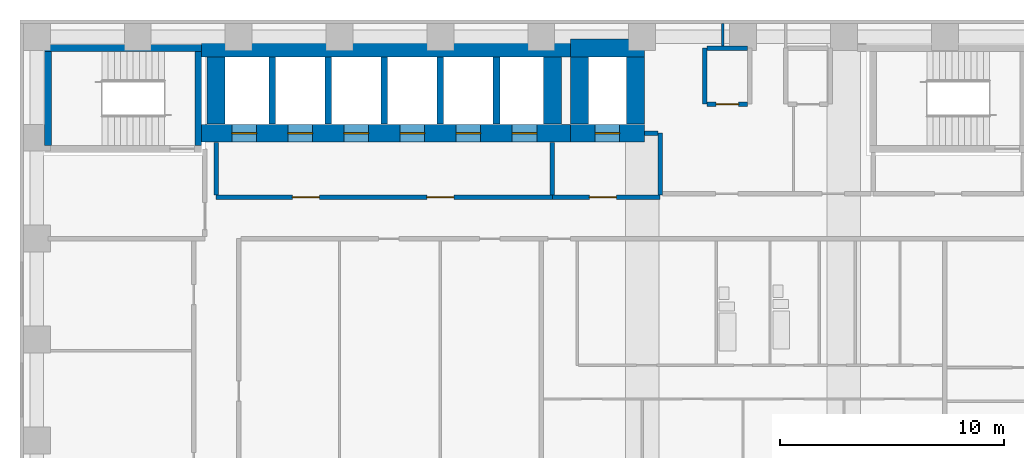
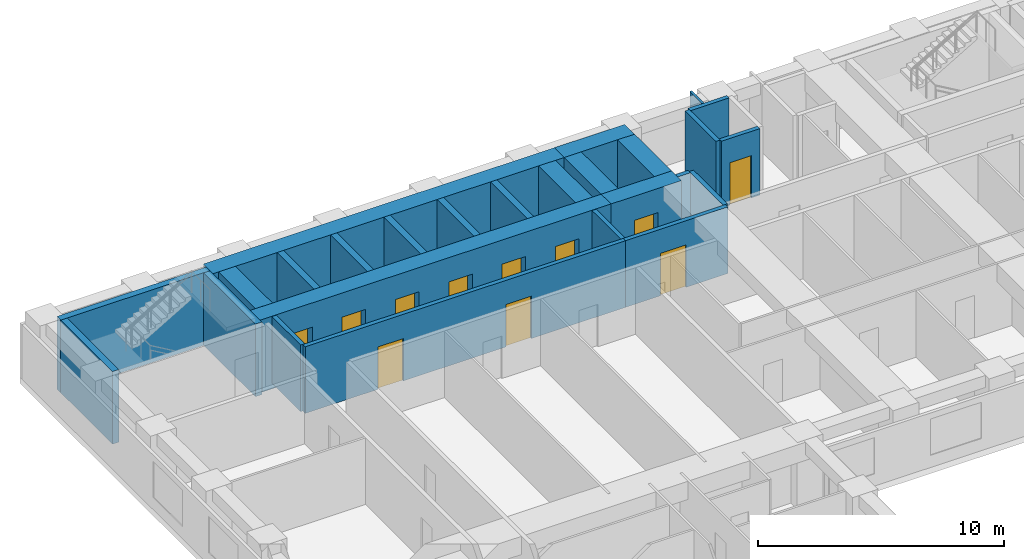
# One storey, part 5 of 12: 26 walls, 11 doors, 11 openings.
"""IFC4 building model written with IfcOpenShell, lengths in metres."""

from ifc_helpers import new_model, si_unit, direction, frame, frame_2d, origin, place, context, subcontext, project, spatial, rectangle, extrude, material, layer, layer_set, type_object, element, fill, save


model = new_model("IFC4")

# Units and contexts
model_context = context("Model", 3, precision=1e-05, world=origin(), true_north=direction((0.0, 1.0)))
body_context = subcontext(model_context, "Body", "Model", "MODEL_VIEW")
ifc_project = project(units=[si_unit("LENGTHUNIT", "METRE"), si_unit("AREAUNIT", "SQUARE_METRE"), si_unit("VOLUMEUNIT", "CUBIC_METRE"), si_unit("PLANEANGLEUNIT", "RADIAN"), si_unit("MASSUNIT", "GRAM", prefix="KILO")], contexts=[model_context])

# Site, building, storey
site_placement = place(None, origin())
site = spatial("IfcSite", under=ifc_project, at=site_placement, CompositionType="ELEMENT")
building_placement = place(site_placement, origin())
building = spatial("IfcBuilding", under=site, at=building_placement, Name="Firuza Court", CompositionType="ELEMENT")
storey_placement = place(building_placement, frame((0.0, 0.0, 97.39990234375)))
storey = spatial("IfcBuildingStorey", under=building, at=storey_placement, Name="L24", CompositionType="ELEMENT", Elevation=97.39990234375)

# Walls
ifc_material_1 = material(Name="Concrete C60/75", Category="concrete")
ifc_layer_1 = layer(ifc_material_1, 0.300048828125)
ifc_layer_set_1 = layer_set([ifc_layer_1], Name="Concrete C60/75")
wall_type_1 = type_object("IfcWallType", Name="Core wall 300 C60/75", PredefinedType="SHEAR", material=ifc_layer_set_1)
wall_1_placement = place(storey_placement, frame((0.35009765625, 58.0, -0.2998046875), z_axis=(0.0, 0.0, 1.0), x_axis=(1.0, 0.0, 0.0)))
element("IfcWall", 1, at=wall_1_placement, inside=storey, type_object=wall_type_1, Name="Core wall stair L24", PredefinedType="SHEAR", context=body_context, shape_type="SweptSolid", body=[
    extrude(rectangle(XDim=7.0, YDim=0.300048828125, at=frame_2d((3.5, 0.0))), origin(), (0.0, 0.0, 1.0), 3.599853515625),
])
for number, where, z_axis, x_axis, name in (
    (2, (0.5, 53.64990234375, -0.2998046875), (0.0, 0.0, 1.0), (0.0, 1.0, 0.0), "Core wall stair L24"),
    (3, (7.199951171875, 53.64990234375, -0.2998046875), (0.0, 0.0, 1.0), (0.0, 1.0, 0.0), "Core wall stair L24"),
):
    element("IfcWall", number, at=place(storey_placement, frame(where, z_axis=z_axis, x_axis=x_axis)), inside=storey, type_object=wall_type_1, Name=name, PredefinedType="SHEAR", context=body_context, shape_type="SweptSolid", body=[
        extrude(rectangle(XDim=4.2001953125, YDim=0.300048828125, at=frame_2d((2.10009765625, 0.0))), origin(), (0.0, 0.0, 1.0), 3.599853515625),
    ])
for number, where, z_axis, x_axis, name in (
    (4, (10.5, 54.60009765625, -0.2998046875), (0.0, 0.0, 1.0), (0.0, 1.0, 0.0), "Core wall lift shaft L24"),
    (5, (13.0, 54.60009765625, -0.2998046875), (0.0, 0.0, 1.0), (0.0, 1.0, 0.0), "Core wall lift shaft L24"),
    (6, (15.5, 54.60009765625, -0.2998046875), (0.0, 0.0, 1.0), (0.0, 1.0, 0.0), "Core wall lift shaft L24"),
    (7, (18.0, 54.60009765625, -0.2998046875), (0.0, 0.0, 1.0), (0.0, 1.0, 0.0), "Core wall lift shaft L24"),
    (8, (20.5, 54.60009765625, -0.2998046875), (0.0, 0.0, 1.0), (0.0, 1.0, 0.0), "Core wall lift shaft L24"),
):
    element("IfcWall", number, at=place(storey_placement, frame(where, z_axis=z_axis, x_axis=x_axis)), inside=storey, type_object=wall_type_1, Name=name, PredefinedType="SHEAR", context=body_context, shape_type="SweptSolid", body=[
        extrude(rectangle(XDim=3.0, YDim=0.300048828125, at=frame_2d((1.5, 0.0))), origin(), (0.0, 0.0, 1.0), 3.599853515625),
    ])

# Wall, openings, doors
ifc_layer_2 = layer(ifc_material_1, 0.800048828125)
ifc_layer_set_2 = layer_set([ifc_layer_2], Name="Concrete C60/75")
wall_type_2 = type_object("IfcWallType", Name="Core wall 800 C60/75", PredefinedType="SHEAR", material=ifc_layer_set_2)
wall_2_placement = place(storey_placement, frame((7.35009765625, 54.199951171875, -0.2998046875), z_axis=(0.0, 0.0, 1.0), x_axis=(1.0, 0.0, 0.0)))
wall_2 = element("IfcWall", 9, at=wall_2_placement, inside=storey, type_object=wall_type_2, Name="Core wall lift shaft L24", PredefinedType="SHEAR", context=body_context, shape_type="SweptSolid", body=[
    extrude(rectangle(XDim=16.449951171875, YDim=0.800048828125, at=frame_2d((8.22509765625, 0.0))), origin(), (0.0, 0.0, 1.0), 3.599853515625),
])
opening_1_placement = place(wall_2_placement, frame((1.35009765625, 0.0, 0.300048828125)))
opening_1 = element("IfcOpeningElement", 10, at=opening_1_placement, cuts=wall_2, Name="Opening LD-LB1-24", PredefinedType="OPENING", context=body_context, shape_type="SweptSolid", body=[
    extrude(rectangle(XDim=1.10009765625, YDim=2.10009765625, at=frame_2d((0.550048828125, 1.050048828125))), frame((0.0, 0.412109375, 0.0), z_axis=(0.0, -1.0, 0.0), x_axis=(1.0, 0.0, 0.0)), (0.0, 0.0, 1.0), 0.823974609375),
])
opening_2_placement = place(wall_2_placement, frame((3.85009765625, 0.0, 0.300048828125)))
opening_2 = element("IfcOpeningElement", 11, at=opening_2_placement, cuts=wall_2, Name="Opening LD-LB2-24", PredefinedType="OPENING", context=body_context, shape_type="SweptSolid", body=[
    extrude(rectangle(XDim=1.10009765625, YDim=2.10009765625, at=frame_2d((0.550048828125, 1.050048828125))), frame((0.0, 0.412109375, 0.0), z_axis=(0.0, -1.0, 0.0), x_axis=(1.0, 0.0, 0.0)), (0.0, 0.0, 1.0), 0.823974609375),
])
opening_3_placement = place(wall_2_placement, frame((6.35009765625, 0.0, 0.300048828125)))
opening_3 = element("IfcOpeningElement", 12, at=opening_3_placement, cuts=wall_2, Name="Opening LD-LB3-24", PredefinedType="OPENING", context=body_context, shape_type="SweptSolid", body=[
    extrude(rectangle(XDim=1.10009765625, YDim=2.10009765625, at=frame_2d((0.550048828125, 1.050048828125))), frame((0.0, 0.412109375, 0.0), z_axis=(0.0, -1.0, 0.0), x_axis=(1.0, 0.0, 0.0)), (0.0, 0.0, 1.0), 0.823974609375),
])
opening_4_placement = place(wall_2_placement, frame((8.85009765625, 0.0, 0.300048828125)))
opening_4 = element("IfcOpeningElement", 13, at=opening_4_placement, cuts=wall_2, Name="Opening LD-LB4-24", PredefinedType="OPENING", context=body_context, shape_type="SweptSolid", body=[
    extrude(rectangle(XDim=1.10009765625, YDim=2.10009765625, at=frame_2d((0.550048828125, 1.050048828125))), frame((0.0, 0.412109375, 0.0), z_axis=(0.0, -1.0, 0.0), x_axis=(1.0, 0.0, 0.0)), (0.0, 0.0, 1.0), 0.823974609375),
])
opening_5_placement = place(wall_2_placement, frame((11.35009765625, 0.0, 0.300048828125)))
opening_5 = element("IfcOpeningElement", 14, at=opening_5_placement, cuts=wall_2, Name="Opening LD-LB5-24", PredefinedType="OPENING", context=body_context, shape_type="SweptSolid", body=[
    extrude(rectangle(XDim=1.10009765625, YDim=2.10009765625, at=frame_2d((0.550048828125, 1.050048828125))), frame((0.0, 0.412109375, 0.0), z_axis=(0.0, -1.0, 0.0), x_axis=(1.0, 0.0, 0.0)), (0.0, 0.0, 1.0), 0.823974609375),
])
opening_6_placement = place(wall_2_placement, frame((13.85009765625, 0.0, 0.300048828125)))
opening_6 = element("IfcOpeningElement", 15, at=opening_6_placement, cuts=wall_2, Name="Opening LD-LB6-24", PredefinedType="OPENING", context=body_context, shape_type="SweptSolid", body=[
    extrude(rectangle(XDim=1.10009765625, YDim=2.10009765625, at=frame_2d((0.550048828125, 1.050048828125))), frame((0.0, 0.412109375, 0.0), z_axis=(0.0, -1.0, 0.0), x_axis=(1.0, 0.0, 0.0)), (0.0, 0.0, 1.0), 0.823974609375),
])
ifc_material_2 = material(Name="Stainless steel 1.4301 door leaf", Category="steel")
door_type_1 = type_object("IfcDoorType", Name="Lift landing door 1100", OperationType="SLIDING_TO_LEFT", PredefinedType="DOOR", material=ifc_material_2)
door_1_placement = place(opening_1_placement, origin())
door_1 = element("IfcDoor", 16, at=door_1_placement, inside=storey, type_object=door_type_1, Name="Landing door LB1", OperationType="SLIDING_TO_LEFT", OverallHeight=2.10009765625, OverallWidth=1.10009765625, PredefinedType="DOOR", context=body_context, shape_type="SweptSolid", body=[
    extrude(rectangle(XDim=1.10009765625, YDim=2.10009765625, at=frame_2d((0.550048828125, 1.050048828125))), frame((0.0, 0.02490234375, 0.0), z_axis=(0.0, -1.0, 0.0), x_axis=(1.0, 0.0, 0.0)), (0.0, 0.0, 1.0), 0.050048828125),
])
fill(opening_1, door_1)
door_2_placement = place(opening_2_placement, origin())
door_2 = element("IfcDoor", 17, at=door_2_placement, inside=storey, type_object=door_type_1, Name="Landing door LB2", OperationType="SLIDING_TO_LEFT", OverallHeight=2.10009765625, OverallWidth=1.10009765625, PredefinedType="DOOR", context=body_context, shape_type="SweptSolid", body=[
    extrude(rectangle(XDim=1.10009765625, YDim=2.10009765625, at=frame_2d((0.550048828125, 1.050048828125))), frame((0.0, 0.02490234375, 0.0), z_axis=(0.0, -1.0, 0.0), x_axis=(1.0, 0.0, 0.0)), (0.0, 0.0, 1.0), 0.050048828125),
])
fill(opening_2, door_2)
door_3_placement = place(opening_3_placement, origin())
door_3 = element("IfcDoor", 18, at=door_3_placement, inside=storey, type_object=door_type_1, Name="Landing door LB3", OperationType="SLIDING_TO_LEFT", OverallHeight=2.10009765625, OverallWidth=1.10009765625, PredefinedType="DOOR", context=body_context, shape_type="SweptSolid", body=[
    extrude(rectangle(XDim=1.10009765625, YDim=2.10009765625, at=frame_2d((0.550048828125, 1.050048828125))), frame((0.0, 0.02490234375, 0.0), z_axis=(0.0, -1.0, 0.0), x_axis=(1.0, 0.0, 0.0)), (0.0, 0.0, 1.0), 0.050048828125),
])
fill(opening_3, door_3)
door_4_placement = place(opening_4_placement, origin())
door_4 = element("IfcDoor", 19, at=door_4_placement, inside=storey, type_object=door_type_1, Name="Landing door LB4", OperationType="SLIDING_TO_LEFT", OverallHeight=2.10009765625, OverallWidth=1.10009765625, PredefinedType="DOOR", context=body_context, shape_type="SweptSolid", body=[
    extrude(rectangle(XDim=1.10009765625, YDim=2.10009765625, at=frame_2d((0.550048828125, 1.050048828125))), frame((0.0, 0.02490234375, 0.0), z_axis=(0.0, -1.0, 0.0), x_axis=(1.0, 0.0, 0.0)), (0.0, 0.0, 1.0), 0.050048828125),
])
fill(opening_4, door_4)
door_5_placement = place(opening_5_placement, origin())
door_5 = element("IfcDoor", 20, at=door_5_placement, inside=storey, type_object=door_type_1, Name="Landing door LB5", OperationType="SLIDING_TO_LEFT", OverallHeight=2.10009765625, OverallWidth=1.10009765625, PredefinedType="DOOR", context=body_context, shape_type="SweptSolid", body=[
    extrude(rectangle(XDim=1.10009765625, YDim=2.10009765625, at=frame_2d((0.550048828125, 1.050048828125))), frame((0.0, 0.02490234375, 0.0), z_axis=(0.0, -1.0, 0.0), x_axis=(1.0, 0.0, 0.0)), (0.0, 0.0, 1.0), 0.050048828125),
])
fill(opening_5, door_5)
door_6_placement = place(opening_6_placement, origin())
door_6 = element("IfcDoor", 21, at=door_6_placement, inside=storey, type_object=door_type_1, Name="Landing door LB6", OperationType="SLIDING_TO_LEFT", OverallHeight=2.10009765625, OverallWidth=1.10009765625, PredefinedType="DOOR", context=body_context, shape_type="SweptSolid", body=[
    extrude(rectangle(XDim=1.10009765625, YDim=2.10009765625, at=frame_2d((0.550048828125, 1.050048828125))), frame((0.0, 0.02490234375, 0.0), z_axis=(0.0, -1.0, 0.0), x_axis=(1.0, 0.0, 0.0)), (0.0, 0.0, 1.0), 0.050048828125),
])
fill(opening_6, door_6)

# Walls
wall_3_placement = place(storey_placement, frame((7.35009765625, 58.0, -0.2998046875), z_axis=(0.0, 0.0, 1.0), x_axis=(1.0, 0.0, 0.0)))
element("IfcWall", 22, at=wall_3_placement, inside=storey, type_object=wall_type_2, Name="Core wall lift shaft L24", PredefinedType="SHEAR", context=body_context, shape_type="SweptSolid", body=[
    extrude(rectangle(XDim=16.449951171875, YDim=0.800048828125, at=frame_2d((8.22509765625, 0.0))), origin(), (0.0, 0.0, 1.0), 3.599853515625),
])
for number, where, z_axis, x_axis, name in (
    (23, (8.0, 54.60009765625, -0.2998046875), (0.0, 0.0, 1.0), (0.0, 1.0, 0.0), "Core wall lift shaft L24"),
    (24, (23.0, 54.60009765625, -0.2998046875), (0.0, 0.0, 1.0), (0.0, 1.0, 0.0), "Core wall lift shaft L24"),
):
    element("IfcWall", number, at=place(storey_placement, frame(where, z_axis=z_axis, x_axis=x_axis)), inside=storey, type_object=wall_type_2, Name=name, PredefinedType="SHEAR", context=body_context, shape_type="SweptSolid", body=[
        extrude(rectangle(XDim=3.0, YDim=0.800048828125, at=frame_2d((1.5, 0.0))), origin(), (0.0, 0.0, 1.0), 3.599853515625),
    ])

# Wall, opening, door
wall_4_placement = place(storey_placement, frame((23.800048828125, 54.199951171875, -0.2998046875), z_axis=(0.0, 0.0, 1.0), x_axis=(1.0, 0.0, 0.0)))
wall_4 = element("IfcWall", 25, at=wall_4_placement, inside=storey, type_object=wall_type_2, Name="Core wall lift shaft L24", PredefinedType="SHEAR", context=body_context, shape_type="SweptSolid", body=[
    extrude(rectangle(XDim=3.300048828125, YDim=0.800048828125, at=frame_2d((1.64990234375, 0.0))), origin(), (0.0, 0.0, 1.0), 3.599853515625),
])
opening_7_placement = place(wall_4_placement, frame((1.10009765625, 0.0, 0.300048828125)))
opening_7 = element("IfcOpeningElement", 26, at=opening_7_placement, cuts=wall_4, Name="Opening LD-FL3-24", PredefinedType="OPENING", context=body_context, shape_type="SweptSolid", body=[
    extrude(rectangle(XDim=1.10009765625, YDim=2.10009765625, at=frame_2d((0.550048828125, 1.050048828125))), frame((0.0, 0.412109375, 0.0), z_axis=(0.0, -1.0, 0.0), x_axis=(1.0, 0.0, 0.0)), (0.0, 0.0, 1.0), 0.823974609375),
])
door_7_placement = place(opening_7_placement, origin())
door_7 = element("IfcDoor", 27, at=door_7_placement, inside=storey, type_object=door_type_1, Name="Landing door FL3", OperationType="SLIDING_TO_LEFT", OverallHeight=2.10009765625, OverallWidth=1.10009765625, PredefinedType="DOOR", context=body_context, shape_type="SweptSolid", body=[
    extrude(rectangle(XDim=1.10009765625, YDim=2.10009765625, at=frame_2d((0.550048828125, 1.050048828125))), frame((0.0, 0.02490234375, 0.0), z_axis=(0.0, -1.0, 0.0), x_axis=(1.0, 0.0, 0.0)), (0.0, 0.0, 1.0), 0.050048828125),
])
fill(opening_7, door_7)

# Walls
wall_5_placement = place(storey_placement, frame((23.800048828125, 58.0, -0.2998046875), z_axis=(0.0, 0.0, 1.0), x_axis=(1.0, 0.0, 0.0)))
element("IfcWall", 28, at=wall_5_placement, inside=storey, type_object=wall_type_2, Name="Core wall lift shaft L24", PredefinedType="SHEAR", context=body_context, shape_type="SweptSolid", body=[
    extrude(rectangle(XDim=3.300048828125, YDim=0.800048828125, at=frame_2d((1.64990234375, 0.0))), origin(), (0.0, 0.0, 1.0), 3.599853515625),
])
for number, where, z_axis, x_axis, name in (
    (29, (24.199951171875, 54.60009765625, -0.2998046875), (0.0, 0.0, 1.0), (0.0, 1.0, 0.0), "Core wall lift shaft L24"),
    (30, (26.699951171875, 54.60009765625, -0.2998046875), (0.0, 0.0, 1.0), (0.0, 1.0, 0.0), "Core wall lift shaft L24"),
):
    element("IfcWall", number, at=place(storey_placement, frame(where, z_axis=z_axis, x_axis=x_axis)), inside=storey, type_object=wall_type_2, Name=name, PredefinedType="SHEAR", context=body_context, shape_type="SweptSolid", body=[
        extrude(rectangle(XDim=3.0, YDim=0.800048828125, at=frame_2d((1.5, 0.0))), origin(), (0.0, 0.0, 1.0), 3.599853515625),
    ])
ifc_material_3 = material(Name="Timber stud partition, plasterboard both sides", Category="wood")
ifc_layer_3 = layer(ifc_material_3, 0.10009765625)
ifc_layer_set_3 = layer_set([ifc_layer_3], Name="Timber stud partition, plasterboard both sides")
wall_type_3 = type_object("IfcWallType", Name="Partition wall 100", PredefinedType="PARTITIONING", material=ifc_layer_set_3)
wall_6_placement = place(storey_placement, frame((30.60009765625, 58.10009765625, 0.0), z_axis=(0.0, 0.0, 1.0), x_axis=(0.0, 1.0, 0.0)))
element("IfcWall", 31, at=wall_6_placement, inside=storey, type_object=wall_type_3, Name="Partition wall 100 L24", PredefinedType="PARTITIONING", context=body_context, shape_type="SweptSolid", body=[
    extrude(rectangle(XDim=1.0, YDim=0.10009765625, at=frame_2d((0.5, 0.0))), origin(), (0.0, 0.0, 1.0), 3.300048828125),
])
ifc_material_4 = material(Name="Blockwork, fire-rated", Category="masonry")
ifc_layer_4 = layer(ifc_material_4, 0.199951171875)
ifc_layer_set_4 = layer_set([ifc_layer_4], Name="Blockwork, fire-rated")
wall_type_4 = type_object("IfcWallType", Name="Plant room wall 200", PredefinedType="PARTITIONING", material=ifc_layer_set_4)
wall_7_placement = place(storey_placement, frame((29.800048828125, 55.5, 0.0), z_axis=(0.0, 0.0, 1.0), x_axis=(0.0, 1.0, 0.0)))
element("IfcWall", 32, at=wall_7_placement, inside=storey, type_object=wall_type_4, Name="Plant room wall 200 L24", PredefinedType="PARTITIONING", context=body_context, shape_type="SweptSolid", body=[
    extrude(rectangle(XDim=2.5, YDim=0.199951171875, at=frame_2d((1.25, 0.0))), origin(), (0.0, 0.0, 1.0), 3.300048828125),
])

# Wall, opening, door
wall_8_placement = place(storey_placement, frame((29.89990234375, 55.5, 0.0), z_axis=(0.0, 0.0, 1.0), x_axis=(1.0, 0.0, 0.0)))
wall_8 = element("IfcWall", 33, at=wall_8_placement, inside=storey, type_object=wall_type_4, Name="Plant room wall 200 L24", PredefinedType="PARTITIONING", context=body_context, shape_type="SweptSolid", body=[
    extrude(rectangle(XDim=1.800048828125, YDim=0.199951171875, at=frame_2d((0.89990234375, 0.0))), origin(), (0.0, 0.0, 1.0), 3.300048828125),
])
opening_8_placement = place(wall_8_placement, frame((0.39990234375, 0.0, 0.0)))
opening_8 = element("IfcOpeningElement", 34, at=opening_8_placement, cuts=wall_8, Name="Opening D24076", PredefinedType="OPENING", context=body_context, shape_type="SweptSolid", body=[
    extrude(rectangle(XDim=1.0, YDim=2.10009765625, at=frame_2d((0.5, 1.050048828125))), frame((0.0, 0.11181640625, 0.0), z_axis=(0.0, -1.0, 0.0), x_axis=(1.0, 0.0, 0.0)), (0.0, 0.0, 1.0), 0.223876953125),
])
ifc_material_5 = material(Name="Timber door leaf in hardwood frame", Category="wood")
door_type_2 = type_object("IfcDoorType", Name="Riser door 1000", OperationType="SINGLE_SWING_LEFT", PredefinedType="DOOR", material=ifc_material_5)
door_8_placement = place(opening_8_placement, origin())
door_8 = element("IfcDoor", 35, at=door_8_placement, inside=storey, type_object=door_type_2, Name="Electrical riser door", OperationType="SINGLE_SWING_LEFT", OverallHeight=2.10009765625, OverallWidth=1.0, PredefinedType="DOOR", context=body_context, shape_type="SweptSolid", body=[
    extrude(rectangle(XDim=1.0, YDim=2.10009765625, at=frame_2d((0.5, 1.050048828125))), frame((0.0, 0.02490234375, 0.0), z_axis=(0.0, -1.0, 0.0), x_axis=(1.0, 0.0, 0.0)), (0.0, 0.0, 1.0), 0.050048828125),
])
fill(opening_8, door_8)

# Wall
wall_9_placement = place(storey_placement, frame((29.89990234375, 58.0, 0.0), z_axis=(0.0, 0.0, 1.0), x_axis=(1.0, 0.0, 0.0)))
element("IfcWall", 36, at=wall_9_placement, inside=storey, type_object=wall_type_4, Name="Plant room wall 200 L24", PredefinedType="PARTITIONING", context=body_context, shape_type="SweptSolid", body=[
    extrude(rectangle(XDim=1.800048828125, YDim=0.199951171875, at=frame_2d((0.89990234375, 0.0))), origin(), (0.0, 0.0, 1.0), 3.300048828125),
])

# Wall, openings, doors
ifc_layer_5 = layer(ifc_material_4, 0.199951171875)
ifc_layer_set_5 = layer_set([ifc_layer_5], Name="Blockwork, fire-rated")
wall_type_5 = type_object("IfcWallType", Name="Shaft wall 200", PredefinedType="PARTITIONING", material=ifc_layer_set_5)
wall_10_placement = place(storey_placement, frame((8.0, 51.35009765625, 0.0), z_axis=(0.0, 0.0, 1.0), x_axis=(1.0, 0.0, 0.0)))
wall_10 = element("IfcWall", 37, at=wall_10_placement, inside=storey, type_object=wall_type_5, Name="Shaft wall 200 L24", PredefinedType="PARTITIONING", context=body_context, shape_type="SweptSolid", body=[
    extrude(rectangle(XDim=15.0, YDim=0.199951171875, at=frame_2d((7.5, 0.0))), origin(), (0.0, 0.0, 1.0), 3.300048828125),
])
opening_9_placement = place(wall_10_placement, frame((3.39990234375, 0.0, 0.0)))
opening_9 = element("IfcOpeningElement", 38, at=opening_9_placement, cuts=wall_10, Name="Opening D24004", PredefinedType="OPENING", context=body_context, shape_type="SweptSolid", body=[
    extrude(rectangle(XDim=1.199951171875, YDim=2.10009765625, at=frame_2d((0.60009765625, 1.050048828125))), frame((0.0, 0.11181640625, 0.0), z_axis=(0.0, -1.0, 0.0), x_axis=(1.0, 0.0, 0.0)), (0.0, 0.0, 1.0), 0.223876953125),
])
opening_10_placement = place(wall_10_placement, frame((9.39990234375, 0.0, 0.0)))
opening_10 = element("IfcOpeningElement", 39, at=opening_10_placement, cuts=wall_10, Name="Opening D24005", PredefinedType="OPENING", context=body_context, shape_type="SweptSolid", body=[
    extrude(rectangle(XDim=1.199951171875, YDim=2.10009765625, at=frame_2d((0.60009765625, 1.050048828125))), frame((0.0, 0.11181640625, 0.0), z_axis=(0.0, -1.0, 0.0), x_axis=(1.0, 0.0, 0.0)), (0.0, 0.0, 1.0), 0.223876953125),
])
ifc_material_6 = material(Name="Timber door leaf in hardwood frame", Category="wood")
door_type_3 = type_object("IfcDoorType", Name="Lobby door 1200", OperationType="SINGLE_SWING_LEFT", PredefinedType="DOOR", material=ifc_material_6)
door_9_placement = place(opening_9_placement, origin())
door_9 = element("IfcDoor", 40, at=door_9_placement, inside=storey, type_object=door_type_3, Name="Lobby door", OperationType="SINGLE_SWING_LEFT", OverallHeight=2.10009765625, OverallWidth=1.199951171875, PredefinedType="DOOR", context=body_context, shape_type="SweptSolid", body=[
    extrude(rectangle(XDim=1.199951171875, YDim=2.10009765625, at=frame_2d((0.60009765625, 1.050048828125))), frame((0.0, 0.02490234375, 0.0), z_axis=(0.0, -1.0, 0.0), x_axis=(1.0, 0.0, 0.0)), (0.0, 0.0, 1.0), 0.050048828125),
])
fill(opening_9, door_9)
door_10_placement = place(opening_10_placement, origin())
door_10 = element("IfcDoor", 41, at=door_10_placement, inside=storey, type_object=door_type_3, Name="Lobby door", OperationType="SINGLE_SWING_RIGHT", OverallHeight=2.10009765625, OverallWidth=1.199951171875, PredefinedType="DOOR", context=body_context, shape_type="SweptSolid", body=[
    extrude(rectangle(XDim=1.199951171875, YDim=2.10009765625, at=frame_2d((0.60009765625, 1.050048828125))), frame((0.0, 0.02490234375, 0.0), z_axis=(0.0, -1.0, 0.0), x_axis=(1.0, 0.0, 0.0)), (0.0, 0.0, 1.0), 0.050048828125),
])
fill(opening_10, door_10)

# Walls
for number, where, z_axis, x_axis, name in (
    (42, (23.0, 51.449951171875, 0.0), (0.0, 0.0, 1.0), (0.0, 1.0, 0.0), "Shaft wall 200 L24"),
    (43, (8.0, 51.449951171875, 0.0), (0.0, 0.0, 1.0), (0.0, 1.0, 0.0), "Shaft wall 200 L24"),
):
    element("IfcWall", number, at=place(storey_placement, frame(where, z_axis=z_axis, x_axis=x_axis)), inside=storey, type_object=wall_type_5, Name=name, PredefinedType="PARTITIONING", context=body_context, shape_type="SweptSolid", body=[
        extrude(rectangle(XDim=2.330078125, YDim=0.199951171875, at=frame_2d((1.1650390625, 0.0))), origin(), (0.0, 0.0, 1.0), 3.300048828125),
    ])

# Wall, opening, door
wall_11_placement = place(storey_placement, frame((23.0, 51.35009765625, 0.0), z_axis=(0.0, 0.0, 1.0), x_axis=(1.0, 0.0, 0.0)))
wall_11 = element("IfcWall", 44, at=wall_11_placement, inside=storey, type_object=wall_type_5, Name="Shaft wall 200 L24", PredefinedType="PARTITIONING", context=body_context, shape_type="SweptSolid", body=[
    extrude(rectangle(XDim=4.800048828125, YDim=0.199951171875, at=frame_2d((2.39990234375, 0.0))), origin(), (0.0, 0.0, 1.0), 3.300048828125),
])
opening_11_placement = place(wall_11_placement, frame((1.64990234375, 0.0, 0.0)))
opening_11 = element("IfcOpeningElement", 45, at=opening_11_placement, cuts=wall_11, Name="Opening D24003", PredefinedType="OPENING", context=body_context, shape_type="SweptSolid", body=[
    extrude(rectangle(XDim=1.199951171875, YDim=2.10009765625, at=frame_2d((0.60009765625, 1.050048828125))), frame((0.0, 0.11181640625, 0.0), z_axis=(0.0, -1.0, 0.0), x_axis=(1.0, 0.0, 0.0)), (0.0, 0.0, 1.0), 0.223876953125),
])
door_11_placement = place(opening_11_placement, origin())
door_11 = element("IfcDoor", 46, at=door_11_placement, inside=storey, type_object=door_type_3, Name="Fire-fighting lobby door", OperationType="SINGLE_SWING_LEFT", OverallHeight=2.10009765625, OverallWidth=1.199951171875, PredefinedType="DOOR", context=body_context, shape_type="SweptSolid", body=[
    extrude(rectangle(XDim=1.199951171875, YDim=2.10009765625, at=frame_2d((0.60009765625, 1.050048828125))), frame((0.0, 0.02490234375, 0.0), z_axis=(0.0, -1.0, 0.0), x_axis=(1.0, 0.0, 0.0)), (0.0, 0.0, 1.0), 0.050048828125),
])
fill(opening_11, door_11)

# Walls
wall_12_placement = place(storey_placement, frame((27.800048828125, 51.449951171875, 0.0), z_axis=(0.0, 0.0, 1.0), x_axis=(0.0, 1.0, 0.0)))
element("IfcWall", 47, at=wall_12_placement, inside=storey, type_object=wall_type_5, Name="Shaft wall 200 L24", PredefinedType="PARTITIONING", context=body_context, shape_type="SweptSolid", body=[
    extrude(rectangle(XDim=2.75, YDim=0.199951171875, at=frame_2d((1.375, 0.0))), origin(), (0.0, 0.0, 1.0), 3.300048828125),
])
wall_13_placement = place(storey_placement, frame((27.10009765625, 54.199951171875, 0.0), z_axis=(0.0, 0.0, 1.0), x_axis=(1.0, 0.0, 0.0)))
element("IfcWall", 48, at=wall_13_placement, inside=storey, type_object=wall_type_5, Name="Shaft wall 200 L24", PredefinedType="PARTITIONING", context=body_context, shape_type="SweptSolid", body=[
    extrude(rectangle(XDim=0.599853515625, YDim=0.199951171875, at=frame_2d((0.2998046875, 0.0))), origin(), (0.0, 0.0, 1.0), 3.300048828125),
])

save(model, "model.ifc")
